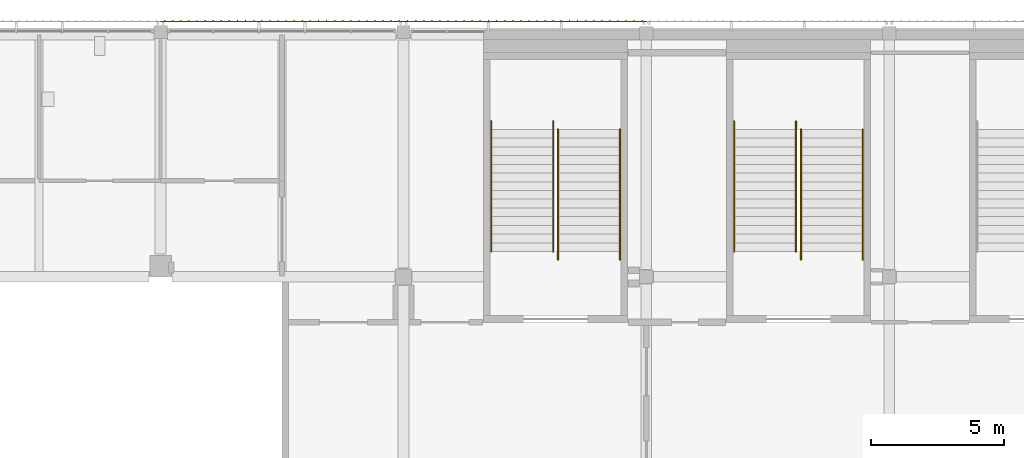
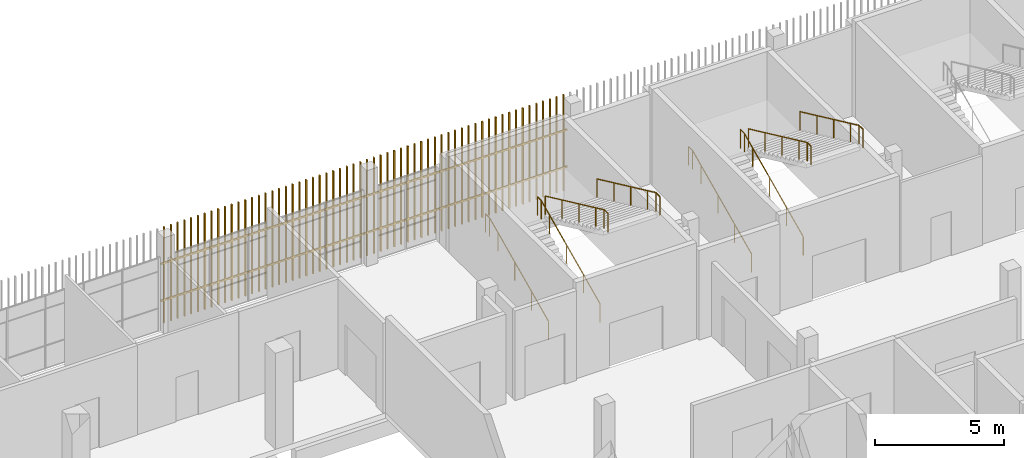
# One storey, part 115 of 124: 8 railings, 2 shading devices.
"""IFC4 building model written with IfcOpenShell, lengths in metres."""

import ifcopenshell
import ifcopenshell.guid

model = None  # the IFC model being written
_history = None  # IfcOwnerHistory: only IFC2X3 demands one
_inside = {}  # id of a spatial element -> (the spatial element, [elements in it])
_under = {}  # id of a project, library or spatial element -> (it, [spatial elements below it])
_declared = {}  # id of a project -> (the project, [libraries it declares])
_typed = {}  # id of a type object -> (the type object, [elements of that type])
_made_of = {}  # id of a material, layer set ... -> (it, [elements and type objects made of it])


def new_model(schema):
    """Start an empty IFC model of exactly this schema.

    Asked for "IFC4X3", IfcOpenShell would pick the latest addendum, in which some entities
    have other attributes; the version numbers below select the first issue.
    IFC2X3 requires an IfcOwnerHistory on every rooted entity: one is made here for all.
    """
    global model, _history
    if schema == "IFC4X3":
        model = ifcopenshell.file(schema_version=(4, 3, 0, 0))
    else:
        model = ifcopenshell.file(schema=schema)
    _inside.clear()
    _under.clear()
    _declared.clear()
    _typed.clear()
    _made_of.clear()
    _history = None
    if model.schema == "IFC2X3":
        org = make("IfcOrganization", Name="unknown")
        user = make(
            "IfcPersonAndOrganization",
            ThePerson=make("IfcPerson", FamilyName="unknown"),
            TheOrganization=org,
        )
        app = make(
            "IfcApplication",
            ApplicationDeveloper=org,
            Version="unknown",
            ApplicationFullName="unknown",
            ApplicationIdentifier="unknown",
        )
        _history = make(
            "IfcOwnerHistory",
            OwningUser=user,
            OwningApplication=app,
            ChangeAction="ADDED",
            CreationDate=0,
        )
    return model


def make(cls, **values):
    """One entity of the class cls with the attributes given. An attribute that is None is left unset."""
    return model.create_entity(
        cls, **{name: value for name, value in values.items() if value is not None}
    )


def rooted(cls, **values):
    """An entity with a GlobalId (a new one), such as an element, a storey or a relation."""
    return make(cls, GlobalId=ifcopenshell.guid.new(), OwnerHistory=_history, **values)


def si_unit(unit_type, name, prefix=None):
    """IfcSIUnit, for example si_unit("LENGTHUNIT", "METRE", prefix="MILLI")."""
    return make("IfcSIUnit", UnitType=unit_type, Prefix=prefix, Name=name)


def assignment(units):
    """IfcUnitAssignment: the units of a project."""
    return None if units is None else make("IfcUnitAssignment", Units=units)


def point(xyz):
    """IfcCartesianPoint."""
    return None if xyz is None else make("IfcCartesianPoint", Coordinates=xyz)


def direction(xyz):
    """IfcDirection."""
    return None if xyz is None else make("IfcDirection", DirectionRatios=xyz)


def frame(location, z_axis=None, x_axis=None):
    """IfcAxis2Placement3D, a coordinate frame: its origin and axes. An axis left out is left unset."""
    return make(
        "IfcAxis2Placement3D",
        Location=point(location),
        Axis=direction(z_axis),
        RefDirection=direction(x_axis),
    )


def frame_2d(location, x_axis=None):
    """IfcAxis2Placement2D, a coordinate frame in the plane: its origin and x axis."""
    return make(
        "IfcAxis2Placement2D", Location=point(location), RefDirection=direction(x_axis)
    )


def origin():
    """The frame at (0, 0, 0) with its axes left unset."""
    return frame((0.0, 0.0, 0.0))


def origin_2d():
    """The frame at (0, 0) in the plane with its x axis left unset."""
    return frame_2d((0.0, 0.0))


def place(relative_to, where):
    """IfcLocalPlacement: puts the frame where relative to a parent placement (None: the world)."""
    return make(
        "IfcLocalPlacement", PlacementRelTo=relative_to, RelativePlacement=where
    )


def context(
    kind, dimensions, precision=None, world=None, true_north=None, identifier=None
):
    """IfcGeometricRepresentationContext, for example the 3D "Model" context."""
    return make(
        "IfcGeometricRepresentationContext",
        ContextIdentifier=identifier,
        ContextType=kind,
        CoordinateSpaceDimension=dimensions,
        Precision=precision,
        WorldCoordinateSystem=world,
        TrueNorth=true_north,
    )


def subcontext(parent, identifier, kind, view, scale=None):
    """IfcGeometricRepresentationSubContext, for example "Body" below "Model"."""
    return make(
        "IfcGeometricRepresentationSubContext",
        ContextIdentifier=identifier,
        ContextType=kind,
        ParentContext=parent,
        TargetScale=scale,
        TargetView=view,
    )


def project(units=None, contexts=None):
    """IfcProject with its units and contexts."""
    return rooted(
        "IfcProject",
        Name="project",
        RepresentationContexts=contexts,
        UnitsInContext=assignment(units),
    )


def spatial(cls, under=None, at=None, **own):
    """A site, building, storey or space (cls), placed at a placement, below another one or the project."""
    s = rooted(cls, ObjectPlacement=at, **own)
    if under is not None:
        _under.setdefault(under.id(), (under, []))[1].append(s)
    return s


def profile(cls, at=None, kind="AREA", **sizes):
    """A parametric profile (cls). Its sizes go by their IFC names, for example OverallWidth=200.0."""
    return make(cls, ProfileType=kind, Position=at, **sizes)


def rectangle(**sizes):
    """IfcRectangleProfileDef."""
    return profile("IfcRectangleProfileDef", **sizes)


def circle(**sizes):
    """IfcCircleProfileDef."""
    return profile("IfcCircleProfileDef", **sizes)


def extrude(swept, where, along, depth):
    """IfcExtrudedAreaSolid: the profile swept, set in the frame where, extruded along a direction by depth."""
    return make(
        "IfcExtrudedAreaSolid",
        SweptArea=swept,
        Position=where,
        ExtrudedDirection=direction(along),
        Depth=depth,
    )


def shape(context_of_items, identifier, shape_type, items):
    """IfcShapeRepresentation: the items that make up one representation, for example the "Body"."""
    return make(
        "IfcShapeRepresentation",
        ContextOfItems=context_of_items,
        RepresentationIdentifier=identifier,
        RepresentationType=shape_type,
        Items=items,
    )


def material(Name=None, Category=None):
    """IfcMaterial."""
    return make("IfcMaterial", Name=Name, Category=Category)


def made_of(thing, what):
    """Note that an element or type object is made of a material, layer set ...; save() writes the relation."""
    if what is not None:
        _made_of.setdefault(what.id(), (what, []))[1].append(thing)
    return thing


def type_object(cls, material=None, **own):
    """A type object (cls), such as IfcWallType, which elements share."""
    return made_of(rooted(cls, **own), material)


def element(
    cls,
    number,
    at=None,
    inside=None,
    cuts=None,
    type_object=None,
    material=None,
    context=None,
    identifier="Body",
    shape_type=None,
    held_by="IfcProductDefinitionShape",
    body=None,
    shapes=None,
    **own,
):
    """One element of the class cls, such as IfcWall. Its Tag is "e" and its number.

    at: its placement. inside: the storey or other place that contains it. cuts: it is an
    opening in that element (IfcRelVoidsElement). A single representation is given by context,
    identifier, shape_type and body (its items); several are given by shapes. held_by: the class
    of the entity that holds the representations. save() writes the other relations.
    """
    e = rooted(cls, Tag="e%d" % number, ObjectPlacement=at, **own)
    if body is not None:
        shapes = [shape(context, identifier, shape_type, body)]
    if shapes is not None:
        e.Representation = make(held_by, Representations=shapes)
    if inside is not None:
        _inside.setdefault(inside.id(), (inside, []))[1].append(e)
    if cuts is not None:
        rooted(
            "IfcRelVoidsElement", RelatingBuildingElement=cuts, RelatedOpeningElement=e
        )
    if type_object is not None:
        _typed.setdefault(type_object.id(), (type_object, []))[1].append(e)
    return made_of(e, material)


def aggregate(whole, parts):
    """IfcRelAggregates: a whole, such as a stair, and the parts it consists of."""
    return rooted("IfcRelAggregates", RelatingObject=whole, RelatedObjects=parts)


def save(model, path):
    """Write the relations noted so far, then the file.

    IfcRelAggregates (storeys below a building ...), IfcRelContainedInSpatialStructure (elements
    in a storey), IfcRelDefinesByType, IfcRelAssociatesMaterial and IfcRelDeclares: one each for
    every whole, place, type object, material and project.
    """
    for whole, parts in _under.values():
        aggregate(whole, parts)
    for where, things in _inside.values():
        rooted(
            "IfcRelContainedInSpatialStructure",
            RelatedElements=things,
            RelatingStructure=where,
        )
    for kind, things in _typed.values():
        rooted("IfcRelDefinesByType", RelatedObjects=things, RelatingType=kind)
    for what, things in _made_of.values():
        rooted("IfcRelAssociatesMaterial", RelatedObjects=things, RelatingMaterial=what)
    for by, libraries in _declared.values():
        rooted("IfcRelDeclares", RelatingContext=by, RelatedDefinitions=libraries)
    model.write(path)


model = new_model("IFC4")

# Units and contexts
model_context = context("Model", 3, precision=1e-05, world=origin(), true_north=direction((0.0, 1.0)))
body_context = subcontext(model_context, "Body", "Model", "MODEL_VIEW")
ifc_project = project(units=[si_unit("LENGTHUNIT", "METRE"), si_unit("AREAUNIT", "SQUARE_METRE"), si_unit("VOLUMEUNIT", "CUBIC_METRE"), si_unit("PLANEANGLEUNIT", "RADIAN"), si_unit("MASSUNIT", "GRAM", prefix="KILO")], contexts=[model_context])

# Site, building, storey
site_placement = place(None, origin())
site = spatial("IfcSite", under=ifc_project, at=site_placement, CompositionType="ELEMENT")
building_placement = place(site_placement, origin())
building = spatial("IfcBuilding", under=site, at=building_placement, Name="Shirokan Park Arena", CompositionType="ELEMENT")
storey_placement = place(building_placement, frame((0.0, 0.0, 20.02001953125)))
storey = spatial("IfcBuildingStorey", under=building, at=storey_placement, Name="L04", CompositionType="ELEMENT", Elevation=20.02001953125)

# Railings
ifc_material_1 = material(Name="Stainless steel", Category="steel")
railing_type = type_object("IfcRailingType", Name="Stair handrail 900", PredefinedType="HANDRAIL", material=ifc_material_1)
railing_1_placement = place(storey_placement, frame((121.590087890625, 101.050048828125, 0.151611328125)))
element("IfcRailing", 1, at=railing_1_placement, inside=storey, type_object=railing_type, Name="Handrail Exit Stair 3.C L04 to L05", PredefinedType="HANDRAIL", context=body_context, shape_type="SweptSolid", body=[
    extrude(circle(Radius=0.02392578125, at=origin_2d()), frame((0.0, 0.0, 0.8759765625), z_axis=(0.0, 0.906999720516, 0.421131222998), x_axis=(-1.0, 0.0, 0.0)), (0.0, 0.0, 1.0), 1.440673828125),
    extrude(circle(Radius=0.02392578125, at=origin_2d()), frame((0.0, 1.306640625, 1.482421875), z_axis=(0.0, 0.907029769225, 0.421066500378), x_axis=(-1.0, 0.0, 0.0)), (0.0, 0.0, 1.0), 1.44091796875),
    extrude(circle(Radius=0.02392578125, at=origin_2d()), frame((0.0, 2.613525390625, 2.08935546875), z_axis=(0.0, 0.907029769225, 0.421066500378), x_axis=(-1.0, 0.0, 0.0)), (0.0, 0.0, 1.0), 1.44091796875),
    extrude(circle(Radius=0.02392578125, at=origin_2d()), frame((0.0, 3.92041015625, 2.69580078125), z_axis=(0.0, 0.907064445915, 0.420991794405), x_axis=(-1.0, 0.0, 0.0)), (0.0, 0.0, 1.0), 0.72021484375),
    extrude(circle(Radius=0.02392578125, at=origin_2d()), frame((0.0, 4.57373046875, 2.9990234375), z_axis=(0.0, 1.0, 0.0), x_axis=(-1.0, 0.0, 0.0)), (0.0, 0.0, 1.0), 0.300048828125),
    extrude(circle(Radius=0.02099609375, at=origin_2d()), origin(), (0.0, 0.0, 1.0), 0.851806640625),
    extrude(circle(Radius=0.02099609375, at=origin_2d()), frame((0.0, 1.306640625, 0.606689453125)), (0.0, 0.0, 1.0), 0.851806640625),
    extrude(circle(Radius=0.02099609375, at=origin_2d()), frame((0.0, 2.613525390625, 1.21337890625)), (0.0, 0.0, 1.0), 0.851806640625),
    extrude(circle(Radius=0.02099609375, at=origin_2d()), frame((0.0, 3.92041015625, 1.820068359375)), (0.0, 0.0, 1.0), 0.851806640625),
    extrude(circle(Radius=0.02099609375, at=origin_2d()), frame((0.0, 4.57373046875, 2.123291015625)), (0.0, 0.0, 1.0), 0.851806640625),
    extrude(circle(Radius=0.02099609375, at=origin_2d()), frame((0.0, 4.873779296875, 2.123291015625)), (0.0, 0.0, 1.0), 0.851806640625),
])
railing_2_placement = place(storey_placement, frame((123.909912109375, 101.050048828125, 0.151611328125)))
element("IfcRailing", 2, at=railing_2_placement, inside=storey, type_object=railing_type, Name="Handrail Exit Stair 3.C L04 to L05", PredefinedType="HANDRAIL", context=body_context, shape_type="SweptSolid", body=[
    extrude(circle(Radius=0.02392578125, at=origin_2d()), frame((0.0, 0.0, 0.8759765625), z_axis=(0.0, 0.906999720516, 0.421131222998), x_axis=(-1.0, 0.0, 0.0)), (0.0, 0.0, 1.0), 1.440673828125),
    extrude(circle(Radius=0.02392578125, at=origin_2d()), frame((0.0, 1.306640625, 1.482421875), z_axis=(0.0, 0.907029769225, 0.421066500378), x_axis=(-1.0, 0.0, 0.0)), (0.0, 0.0, 1.0), 1.44091796875),
    extrude(circle(Radius=0.02392578125, at=origin_2d()), frame((0.0, 2.613525390625, 2.08935546875), z_axis=(0.0, 0.907029769225, 0.421066500378), x_axis=(-1.0, 0.0, 0.0)), (0.0, 0.0, 1.0), 1.44091796875),
    extrude(circle(Radius=0.02392578125, at=origin_2d()), frame((0.0, 3.92041015625, 2.69580078125), z_axis=(0.0, 0.907064445915, 0.420991794405), x_axis=(-1.0, 0.0, 0.0)), (0.0, 0.0, 1.0), 0.72021484375),
    extrude(circle(Radius=0.02392578125, at=origin_2d()), frame((0.0, 4.57373046875, 2.9990234375), z_axis=(0.0, 1.0, 0.0), x_axis=(-1.0, 0.0, 0.0)), (0.0, 0.0, 1.0), 0.300048828125),
    extrude(circle(Radius=0.02099609375, at=origin_2d()), origin(), (0.0, 0.0, 1.0), 0.851806640625),
    extrude(circle(Radius=0.02099609375, at=origin_2d()), frame((0.0, 1.306640625, 0.606689453125)), (0.0, 0.0, 1.0), 0.851806640625),
    extrude(circle(Radius=0.02099609375, at=origin_2d()), frame((0.0, 2.613525390625, 1.21337890625)), (0.0, 0.0, 1.0), 0.851806640625),
    extrude(circle(Radius=0.02099609375, at=origin_2d()), frame((0.0, 3.92041015625, 1.820068359375)), (0.0, 0.0, 1.0), 0.851806640625),
    extrude(circle(Radius=0.02099609375, at=origin_2d()), frame((0.0, 4.57373046875, 2.123291015625)), (0.0, 0.0, 1.0), 0.851806640625),
    extrude(circle(Radius=0.02099609375, at=origin_2d()), frame((0.0, 4.873779296875, 2.123291015625)), (0.0, 0.0, 1.0), 0.851806640625),
])
railing_3_placement = place(storey_placement, frame((124.090087890625, 105.623779296875, 2.4267578125)))
element("IfcRailing", 3, at=railing_3_placement, inside=storey, type_object=railing_type, Name="Handrail Exit Stair 3.C L04 to L05", PredefinedType="HANDRAIL", context=body_context, shape_type="SweptSolid", body=[
    extrude(circle(Radius=0.02392578125, at=origin_2d()), frame((0.0, 0.0, 0.8759765625), z_axis=(0.0, -0.907094476872, 0.420927083981), x_axis=(1.0, 0.0, 0.0)), (0.0, 0.0, 1.0), 1.440673828125),
    extrude(circle(Radius=0.02392578125, at=origin_2d()), frame((0.0, -1.306884765625, 1.482421875), z_axis=(0.0, -0.906999720516, 0.421131222998), x_axis=(1.0, 0.0, 0.0)), (0.0, 0.0, 1.0), 1.440673828125),
    extrude(circle(Radius=0.02392578125, at=origin_2d()), frame((0.0, -2.613525390625, 2.0888671875), z_axis=(0.0, -0.907029769225, 0.421066500378), x_axis=(1.0, 0.0, 0.0)), (0.0, 0.0, 1.0), 1.44091796875),
    extrude(circle(Radius=0.02392578125, at=origin_2d()), frame((0.0, -3.92041015625, 2.69580078125), z_axis=(0.0, -0.906934982928, 0.421270621741), x_axis=(1.0, 0.0, 0.0)), (0.0, 0.0, 1.0), 0.720458984375),
    extrude(circle(Radius=0.02392578125, at=origin_2d()), frame((0.0, -4.57373046875, 2.9990234375), z_axis=(0.0, -1.0, 0.0), x_axis=(1.0, 0.0, 0.0)), (0.0, 0.0, 1.0), 0.300048828125),
    extrude(circle(Radius=0.02099609375, at=origin_2d()), origin(), (0.0, 0.0, 1.0), 0.851806640625),
    extrude(circle(Radius=0.02099609375, at=origin_2d()), frame((0.0, -1.306884765625, 0.6064453125)), (0.0, 0.0, 1.0), 0.851806640625),
    extrude(circle(Radius=0.02099609375, at=origin_2d()), frame((0.0, -2.613525390625, 1.213134765625)), (0.0, 0.0, 1.0), 0.851806640625),
    extrude(circle(Radius=0.02099609375, at=origin_2d()), frame((0.0, -3.92041015625, 1.81982421875)), (0.0, 0.0, 1.0), 0.851806640625),
    extrude(circle(Radius=0.02099609375, at=origin_2d()), frame((0.0, -4.57373046875, 2.123291015625)), (0.0, 0.0, 1.0), 0.851806640625),
    extrude(circle(Radius=0.02099609375, at=origin_2d()), frame((0.0, -4.873779296875, 2.123291015625)), (0.0, 0.0, 1.0), 0.851806640625),
])
railing_4_placement = place(storey_placement, frame((126.409912109375, 105.623779296875, 2.4267578125)))
element("IfcRailing", 4, at=railing_4_placement, inside=storey, type_object=railing_type, Name="Handrail Exit Stair 3.C L04 to L05", PredefinedType="HANDRAIL", context=body_context, shape_type="SweptSolid", body=[
    extrude(circle(Radius=0.02392578125, at=origin_2d()), frame((0.0, 0.0, 0.8759765625), z_axis=(0.0, -0.907094476872, 0.420927083981), x_axis=(1.0, 0.0, 0.0)), (0.0, 0.0, 1.0), 1.440673828125),
    extrude(circle(Radius=0.02392578125, at=origin_2d()), frame((0.0, -1.306884765625, 1.482421875), z_axis=(0.0, -0.906999720516, 0.421131222998), x_axis=(1.0, 0.0, 0.0)), (0.0, 0.0, 1.0), 1.440673828125),
    extrude(circle(Radius=0.02392578125, at=origin_2d()), frame((0.0, -2.613525390625, 2.0888671875), z_axis=(0.0, -0.907029769225, 0.421066500378), x_axis=(1.0, 0.0, 0.0)), (0.0, 0.0, 1.0), 1.44091796875),
    extrude(circle(Radius=0.02392578125, at=origin_2d()), frame((0.0, -3.92041015625, 2.69580078125), z_axis=(0.0, -0.906934982928, 0.421270621741), x_axis=(1.0, 0.0, 0.0)), (0.0, 0.0, 1.0), 0.720458984375),
    extrude(circle(Radius=0.02392578125, at=origin_2d()), frame((0.0, -4.57373046875, 2.9990234375), z_axis=(0.0, -1.0, 0.0), x_axis=(1.0, 0.0, 0.0)), (0.0, 0.0, 1.0), 0.300048828125),
    extrude(circle(Radius=0.02099609375, at=origin_2d()), origin(), (0.0, 0.0, 1.0), 0.851806640625),
    extrude(circle(Radius=0.02099609375, at=origin_2d()), frame((0.0, -1.306884765625, 0.6064453125)), (0.0, 0.0, 1.0), 0.851806640625),
    extrude(circle(Radius=0.02099609375, at=origin_2d()), frame((0.0, -2.613525390625, 1.213134765625)), (0.0, 0.0, 1.0), 0.851806640625),
    extrude(circle(Radius=0.02099609375, at=origin_2d()), frame((0.0, -3.92041015625, 1.81982421875)), (0.0, 0.0, 1.0), 0.851806640625),
    extrude(circle(Radius=0.02099609375, at=origin_2d()), frame((0.0, -4.57373046875, 2.123291015625)), (0.0, 0.0, 1.0), 0.851806640625),
    extrude(circle(Radius=0.02099609375, at=origin_2d()), frame((0.0, -4.873779296875, 2.123291015625)), (0.0, 0.0, 1.0), 0.851806640625),
])
railing_5_placement = place(storey_placement, frame((112.489990234375, 101.050048828125, 0.151611328125)))
element("IfcRailing", 5, at=railing_5_placement, inside=storey, type_object=railing_type, Name="Handrail Exit Stair 3.D L04 to L05", PredefinedType="HANDRAIL", context=body_context, shape_type="SweptSolid", body=[
    extrude(circle(Radius=0.02392578125, at=origin_2d()), frame((0.0, 0.0, 0.8759765625), z_axis=(0.0, 0.906999720516, 0.421131222998), x_axis=(-1.0, 0.0, 0.0)), (0.0, 0.0, 1.0), 1.440673828125),
    extrude(circle(Radius=0.02392578125, at=origin_2d()), frame((0.0, 1.306640625, 1.482421875), z_axis=(0.0, 0.907029769225, 0.421066500378), x_axis=(-1.0, 0.0, 0.0)), (0.0, 0.0, 1.0), 1.44091796875),
    extrude(circle(Radius=0.02392578125, at=origin_2d()), frame((0.0, 2.613525390625, 2.08935546875), z_axis=(0.0, 0.907029769225, 0.421066500378), x_axis=(-1.0, 0.0, 0.0)), (0.0, 0.0, 1.0), 1.44091796875),
    extrude(circle(Radius=0.02392578125, at=origin_2d()), frame((0.0, 3.92041015625, 2.69580078125), z_axis=(0.0, 0.907064445915, 0.420991794405), x_axis=(-1.0, 0.0, 0.0)), (0.0, 0.0, 1.0), 0.72021484375),
    extrude(circle(Radius=0.02392578125, at=origin_2d()), frame((0.0, 4.57373046875, 2.9990234375), z_axis=(0.0, 1.0, 0.0), x_axis=(-1.0, 0.0, 0.0)), (0.0, 0.0, 1.0), 0.300048828125),
    extrude(circle(Radius=0.02099609375, at=origin_2d()), origin(), (0.0, 0.0, 1.0), 0.851806640625),
    extrude(circle(Radius=0.02099609375, at=origin_2d()), frame((0.0, 1.306640625, 0.606689453125)), (0.0, 0.0, 1.0), 0.851806640625),
    extrude(circle(Radius=0.02099609375, at=origin_2d()), frame((0.0, 2.613525390625, 1.21337890625)), (0.0, 0.0, 1.0), 0.851806640625),
    extrude(circle(Radius=0.02099609375, at=origin_2d()), frame((0.0, 3.92041015625, 1.820068359375)), (0.0, 0.0, 1.0), 0.851806640625),
    extrude(circle(Radius=0.02099609375, at=origin_2d()), frame((0.0, 4.57373046875, 2.123291015625)), (0.0, 0.0, 1.0), 0.851806640625),
    extrude(circle(Radius=0.02099609375, at=origin_2d()), frame((0.0, 4.873779296875, 2.123291015625)), (0.0, 0.0, 1.0), 0.851806640625),
])
railing_6_placement = place(storey_placement, frame((114.81005859375, 101.050048828125, 0.151611328125)))
element("IfcRailing", 6, at=railing_6_placement, inside=storey, type_object=railing_type, Name="Handrail Exit Stair 3.D L04 to L05", PredefinedType="HANDRAIL", context=body_context, shape_type="SweptSolid", body=[
    extrude(circle(Radius=0.02392578125, at=origin_2d()), frame((0.0, 0.0, 0.8759765625), z_axis=(0.0, 0.906999720516, 0.421131222998), x_axis=(-1.0, 0.0, 0.0)), (0.0, 0.0, 1.0), 1.440673828125),
    extrude(circle(Radius=0.02392578125, at=origin_2d()), frame((0.0, 1.306640625, 1.482421875), z_axis=(0.0, 0.907029769225, 0.421066500378), x_axis=(-1.0, 0.0, 0.0)), (0.0, 0.0, 1.0), 1.44091796875),
    extrude(circle(Radius=0.02392578125, at=origin_2d()), frame((0.0, 2.613525390625, 2.08935546875), z_axis=(0.0, 0.907029769225, 0.421066500378), x_axis=(-1.0, 0.0, 0.0)), (0.0, 0.0, 1.0), 1.44091796875),
    extrude(circle(Radius=0.02392578125, at=origin_2d()), frame((0.0, 3.92041015625, 2.69580078125), z_axis=(0.0, 0.907064445915, 0.420991794405), x_axis=(-1.0, 0.0, 0.0)), (0.0, 0.0, 1.0), 0.72021484375),
    extrude(circle(Radius=0.02392578125, at=origin_2d()), frame((0.0, 4.57373046875, 2.9990234375), z_axis=(0.0, 1.0, 0.0), x_axis=(-1.0, 0.0, 0.0)), (0.0, 0.0, 1.0), 0.300048828125),
    extrude(circle(Radius=0.02099609375, at=origin_2d()), origin(), (0.0, 0.0, 1.0), 0.851806640625),
    extrude(circle(Radius=0.02099609375, at=origin_2d()), frame((0.0, 1.306640625, 0.606689453125)), (0.0, 0.0, 1.0), 0.851806640625),
    extrude(circle(Radius=0.02099609375, at=origin_2d()), frame((0.0, 2.613525390625, 1.21337890625)), (0.0, 0.0, 1.0), 0.851806640625),
    extrude(circle(Radius=0.02099609375, at=origin_2d()), frame((0.0, 3.92041015625, 1.820068359375)), (0.0, 0.0, 1.0), 0.851806640625),
    extrude(circle(Radius=0.02099609375, at=origin_2d()), frame((0.0, 4.57373046875, 2.123291015625)), (0.0, 0.0, 1.0), 0.851806640625),
    extrude(circle(Radius=0.02099609375, at=origin_2d()), frame((0.0, 4.873779296875, 2.123291015625)), (0.0, 0.0, 1.0), 0.851806640625),
])
railing_7_placement = place(storey_placement, frame((114.989990234375, 105.623779296875, 2.4267578125)))
element("IfcRailing", 7, at=railing_7_placement, inside=storey, type_object=railing_type, Name="Handrail Exit Stair 3.D L04 to L05", PredefinedType="HANDRAIL", context=body_context, shape_type="SweptSolid", body=[
    extrude(circle(Radius=0.02392578125, at=origin_2d()), frame((0.0, 0.0, 0.8759765625), z_axis=(0.0, -0.907094476872, 0.420927083981), x_axis=(1.0, 0.0, 0.0)), (0.0, 0.0, 1.0), 1.440673828125),
    extrude(circle(Radius=0.02392578125, at=origin_2d()), frame((0.0, -1.306884765625, 1.482421875), z_axis=(0.0, -0.906999720516, 0.421131222998), x_axis=(1.0, 0.0, 0.0)), (0.0, 0.0, 1.0), 1.440673828125),
    extrude(circle(Radius=0.02392578125, at=origin_2d()), frame((0.0, -2.613525390625, 2.0888671875), z_axis=(0.0, -0.907029769225, 0.421066500378), x_axis=(1.0, 0.0, 0.0)), (0.0, 0.0, 1.0), 1.44091796875),
    extrude(circle(Radius=0.02392578125, at=origin_2d()), frame((0.0, -3.92041015625, 2.69580078125), z_axis=(0.0, -0.906934982928, 0.421270621741), x_axis=(1.0, 0.0, 0.0)), (0.0, 0.0, 1.0), 0.720458984375),
    extrude(circle(Radius=0.02392578125, at=origin_2d()), frame((0.0, -4.57373046875, 2.9990234375), z_axis=(0.0, -1.0, 0.0), x_axis=(1.0, 0.0, 0.0)), (0.0, 0.0, 1.0), 0.300048828125),
    extrude(circle(Radius=0.02099609375, at=origin_2d()), origin(), (0.0, 0.0, 1.0), 0.851806640625),
    extrude(circle(Radius=0.02099609375, at=origin_2d()), frame((0.0, -1.306884765625, 0.6064453125)), (0.0, 0.0, 1.0), 0.851806640625),
    extrude(circle(Radius=0.02099609375, at=origin_2d()), frame((0.0, -2.613525390625, 1.213134765625)), (0.0, 0.0, 1.0), 0.851806640625),
    extrude(circle(Radius=0.02099609375, at=origin_2d()), frame((0.0, -3.92041015625, 1.81982421875)), (0.0, 0.0, 1.0), 0.851806640625),
    extrude(circle(Radius=0.02099609375, at=origin_2d()), frame((0.0, -4.57373046875, 2.123291015625)), (0.0, 0.0, 1.0), 0.851806640625),
    extrude(circle(Radius=0.02099609375, at=origin_2d()), frame((0.0, -4.873779296875, 2.123291015625)), (0.0, 0.0, 1.0), 0.851806640625),
])
railing_8_placement = place(storey_placement, frame((117.31005859375, 105.623779296875, 2.4267578125)))
element("IfcRailing", 8, at=railing_8_placement, inside=storey, type_object=railing_type, Name="Handrail Exit Stair 3.D L04 to L05", PredefinedType="HANDRAIL", context=body_context, shape_type="SweptSolid", body=[
    extrude(circle(Radius=0.02392578125, at=origin_2d()), frame((0.0, 0.0, 0.8759765625), z_axis=(0.0, -0.907094476872, 0.420927083981), x_axis=(1.0, 0.0, 0.0)), (0.0, 0.0, 1.0), 1.440673828125),
    extrude(circle(Radius=0.02392578125, at=origin_2d()), frame((0.0, -1.306884765625, 1.482421875), z_axis=(0.0, -0.906999720516, 0.421131222998), x_axis=(1.0, 0.0, 0.0)), (0.0, 0.0, 1.0), 1.440673828125),
    extrude(circle(Radius=0.02392578125, at=origin_2d()), frame((0.0, -2.613525390625, 2.0888671875), z_axis=(0.0, -0.907029769225, 0.421066500378), x_axis=(1.0, 0.0, 0.0)), (0.0, 0.0, 1.0), 1.44091796875),
    extrude(circle(Radius=0.02392578125, at=origin_2d()), frame((0.0, -3.92041015625, 2.69580078125), z_axis=(0.0, -0.906934982928, 0.421270621741), x_axis=(1.0, 0.0, 0.0)), (0.0, 0.0, 1.0), 0.720458984375),
    extrude(circle(Radius=0.02392578125, at=origin_2d()), frame((0.0, -4.57373046875, 2.9990234375), z_axis=(0.0, -1.0, 0.0), x_axis=(1.0, 0.0, 0.0)), (0.0, 0.0, 1.0), 0.300048828125),
    extrude(circle(Radius=0.02099609375, at=origin_2d()), origin(), (0.0, 0.0, 1.0), 0.851806640625),
    extrude(circle(Radius=0.02099609375, at=origin_2d()), frame((0.0, -1.306884765625, 0.6064453125)), (0.0, 0.0, 1.0), 0.851806640625),
    extrude(circle(Radius=0.02099609375, at=origin_2d()), frame((0.0, -2.613525390625, 1.213134765625)), (0.0, 0.0, 1.0), 0.851806640625),
    extrude(circle(Radius=0.02099609375, at=origin_2d()), frame((0.0, -3.92041015625, 1.81982421875)), (0.0, 0.0, 1.0), 0.851806640625),
    extrude(circle(Radius=0.02099609375, at=origin_2d()), frame((0.0, -4.57373046875, 2.123291015625)), (0.0, 0.0, 1.0), 0.851806640625),
    extrude(circle(Radius=0.02099609375, at=origin_2d()), frame((0.0, -4.873779296875, 2.123291015625)), (0.0, 0.0, 1.0), 0.851806640625),
])

# Shading devices
ifc_material_2 = material(Name="Timber louvre veil (cedar)", Category="wood")
shading_device_type = type_object("IfcShadingDeviceType", Name="Timber louvre veil panel", PredefinedType="JALOUSIE", material=ifc_material_2)
shading_device_1_placement = place(storey_placement, origin())
element("IfcShadingDevice", 9, at=shading_device_1_placement, inside=storey, type_object=shading_device_type, Name="Timber louvre veil north bay 4 L04", PredefinedType="JALOUSIE", context=body_context, shape_type="SweptSolid", body=[
    extrude(rectangle(XDim=0.050048828125, YDim=0.080078125, at=origin_2d()), frame((118.1484375, 109.68505859375, 0.0), z_axis=(0.0, 0.0, 1.0), x_axis=(-1.0, 0.0, 0.0)), (0.0, 0.0, 1.0), 4.550048828125),
    extrude(rectangle(XDim=0.050048828125, YDim=0.080078125, at=origin_2d()), frame((117.844970703125, 109.68505859375, 0.0), z_axis=(0.0, 0.0, 1.0), x_axis=(-1.0, 0.0, 0.0)), (0.0, 0.0, 1.0), 4.550048828125),
    extrude(rectangle(XDim=0.050048828125, YDim=0.080078125, at=origin_2d()), frame((117.541748046875, 109.68505859375, 0.0), z_axis=(0.0, 0.0, 1.0), x_axis=(-1.0, 0.0, 0.0)), (0.0, 0.0, 1.0), 4.550048828125),
    extrude(rectangle(XDim=0.050048828125, YDim=0.080078125, at=origin_2d()), frame((117.23828125, 109.68505859375, 0.0), z_axis=(0.0, 0.0, 1.0), x_axis=(-1.0, 0.0, 0.0)), (0.0, 0.0, 1.0), 4.550048828125),
    extrude(rectangle(XDim=0.050048828125, YDim=0.080078125, at=origin_2d()), frame((116.93505859375, 109.68505859375, 0.0), z_axis=(0.0, 0.0, 1.0), x_axis=(-1.0, 0.0, 0.0)), (0.0, 0.0, 1.0), 4.550048828125),
    extrude(rectangle(XDim=0.050048828125, YDim=0.080078125, at=origin_2d()), frame((116.631591796875, 109.68505859375, 0.0), z_axis=(0.0, 0.0, 1.0), x_axis=(-1.0, 0.0, 0.0)), (0.0, 0.0, 1.0), 4.550048828125),
    extrude(rectangle(XDim=0.050048828125, YDim=0.080078125, at=origin_2d()), frame((116.328369140625, 109.68505859375, 0.0), z_axis=(0.0, 0.0, 1.0), x_axis=(-1.0, 0.0, 0.0)), (0.0, 0.0, 1.0), 4.550048828125),
    extrude(rectangle(XDim=0.050048828125, YDim=0.080078125, at=origin_2d()), frame((116.02490234375, 109.68505859375, 0.0), z_axis=(0.0, 0.0, 1.0), x_axis=(-1.0, 0.0, 0.0)), (0.0, 0.0, 1.0), 4.550048828125),
    extrude(rectangle(XDim=0.050048828125, YDim=0.080078125, at=origin_2d()), frame((115.7216796875, 109.68505859375, 0.0), z_axis=(0.0, 0.0, 1.0), x_axis=(-1.0, 0.0, 0.0)), (0.0, 0.0, 1.0), 4.550048828125),
    extrude(rectangle(XDim=0.050048828125, YDim=0.080078125, at=origin_2d()), frame((115.418212890625, 109.68505859375, 0.0), z_axis=(0.0, 0.0, 1.0), x_axis=(-1.0, 0.0, 0.0)), (0.0, 0.0, 1.0), 4.550048828125),
    extrude(rectangle(XDim=0.050048828125, YDim=0.080078125, at=origin_2d()), frame((115.114990234375, 109.68505859375, 0.0), z_axis=(0.0, 0.0, 1.0), x_axis=(-1.0, 0.0, 0.0)), (0.0, 0.0, 1.0), 4.550048828125),
    extrude(rectangle(XDim=0.050048828125, YDim=0.080078125, at=origin_2d()), frame((114.811767578125, 109.68505859375, 0.0), z_axis=(0.0, 0.0, 1.0), x_axis=(-1.0, 0.0, 0.0)), (0.0, 0.0, 1.0), 4.550048828125),
    extrude(rectangle(XDim=0.050048828125, YDim=0.080078125, at=origin_2d()), frame((114.50830078125, 109.68505859375, 0.0), z_axis=(0.0, 0.0, 1.0), x_axis=(-1.0, 0.0, 0.0)), (0.0, 0.0, 1.0), 4.550048828125),
    extrude(rectangle(XDim=0.050048828125, YDim=0.080078125, at=origin_2d()), frame((114.205078125, 109.68505859375, 0.0), z_axis=(0.0, 0.0, 1.0), x_axis=(-1.0, 0.0, 0.0)), (0.0, 0.0, 1.0), 4.550048828125),
    extrude(rectangle(XDim=0.050048828125, YDim=0.080078125, at=origin_2d()), frame((113.901611328125, 109.68505859375, 0.0), z_axis=(0.0, 0.0, 1.0), x_axis=(-1.0, 0.0, 0.0)), (0.0, 0.0, 1.0), 4.550048828125),
    extrude(rectangle(XDim=0.050048828125, YDim=0.080078125, at=origin_2d()), frame((113.598388671875, 109.68505859375, 0.0), z_axis=(0.0, 0.0, 1.0), x_axis=(-1.0, 0.0, 0.0)), (0.0, 0.0, 1.0), 4.550048828125),
    extrude(rectangle(XDim=0.050048828125, YDim=0.080078125, at=origin_2d()), frame((113.294921875, 109.68505859375, 0.0), z_axis=(0.0, 0.0, 1.0), x_axis=(-1.0, 0.0, 0.0)), (0.0, 0.0, 1.0), 4.550048828125),
    extrude(rectangle(XDim=0.050048828125, YDim=0.080078125, at=origin_2d()), frame((112.99169921875, 109.68505859375, 0.0), z_axis=(0.0, 0.0, 1.0), x_axis=(-1.0, 0.0, 0.0)), (0.0, 0.0, 1.0), 4.550048828125),
    extrude(rectangle(XDim=0.050048828125, YDim=0.080078125, at=origin_2d()), frame((112.688232421875, 109.68505859375, 0.0), z_axis=(0.0, 0.0, 1.0), x_axis=(-1.0, 0.0, 0.0)), (0.0, 0.0, 1.0), 4.550048828125),
    extrude(rectangle(XDim=0.050048828125, YDim=0.080078125, at=origin_2d()), frame((112.385009765625, 109.68505859375, 0.0), z_axis=(0.0, 0.0, 1.0), x_axis=(-1.0, 0.0, 0.0)), (0.0, 0.0, 1.0), 4.550048828125),
    extrude(rectangle(XDim=0.050048828125, YDim=0.080078125, at=origin_2d()), frame((112.081787109375, 109.68505859375, 0.0), z_axis=(0.0, 0.0, 1.0), x_axis=(-1.0, 0.0, 0.0)), (0.0, 0.0, 1.0), 4.550048828125),
    extrude(rectangle(XDim=0.050048828125, YDim=0.080078125, at=origin_2d()), frame((111.7783203125, 109.68505859375, 0.0), z_axis=(0.0, 0.0, 1.0), x_axis=(-1.0, 0.0, 0.0)), (0.0, 0.0, 1.0), 4.550048828125),
    extrude(rectangle(XDim=0.050048828125, YDim=0.080078125, at=origin_2d()), frame((111.47509765625, 109.68505859375, 0.0), z_axis=(0.0, 0.0, 1.0), x_axis=(-1.0, 0.0, 0.0)), (0.0, 0.0, 1.0), 4.550048828125),
    extrude(rectangle(XDim=0.050048828125, YDim=0.080078125, at=origin_2d()), frame((111.171630859375, 109.68505859375, 0.0), z_axis=(0.0, 0.0, 1.0), x_axis=(-1.0, 0.0, 0.0)), (0.0, 0.0, 1.0), 4.550048828125),
    extrude(rectangle(XDim=0.050048828125, YDim=0.080078125, at=origin_2d()), frame((110.868408203125, 109.68505859375, 0.0), z_axis=(0.0, 0.0, 1.0), x_axis=(-1.0, 0.0, 0.0)), (0.0, 0.0, 1.0), 4.550048828125),
    extrude(rectangle(XDim=0.050048828125, YDim=0.080078125, at=origin_2d()), frame((110.56494140625, 109.68505859375, 0.0), z_axis=(0.0, 0.0, 1.0), x_axis=(-1.0, 0.0, 0.0)), (0.0, 0.0, 1.0), 4.550048828125),
    extrude(rectangle(XDim=0.050048828125, YDim=0.080078125, at=origin_2d()), frame((110.26171875, 109.68505859375, 0.0), z_axis=(0.0, 0.0, 1.0), x_axis=(-1.0, 0.0, 0.0)), (0.0, 0.0, 1.0), 4.550048828125),
    extrude(rectangle(XDim=0.050048828125, YDim=0.080078125, at=origin_2d()), frame((109.958251953125, 109.68505859375, 0.0), z_axis=(0.0, 0.0, 1.0), x_axis=(-1.0, 0.0, 0.0)), (0.0, 0.0, 1.0), 4.550048828125),
    extrude(rectangle(XDim=0.050048828125, YDim=0.080078125, at=origin_2d()), frame((109.655029296875, 109.68505859375, 0.0), z_axis=(0.0, 0.0, 1.0), x_axis=(-1.0, 0.0, 0.0)), (0.0, 0.0, 1.0), 4.550048828125),
    extrude(rectangle(XDim=0.050048828125, YDim=0.080078125, at=origin_2d()), frame((109.3515625, 109.68505859375, 0.0), z_axis=(0.0, 0.0, 1.0), x_axis=(-1.0, 0.0, 0.0)), (0.0, 0.0, 1.0), 4.550048828125),
    extrude(rectangle(XDim=9.10009765625, YDim=0.050048828125, at=origin_2d()), frame((113.75, 109.669921875, 1.06005859375), z_axis=(0.0, 0.0, 1.0), x_axis=(-1.0, 0.0, 0.0)), (0.0, 0.0, 1.0), 0.080078125),
    extrude(rectangle(XDim=9.10009765625, YDim=0.050048828125, at=origin_2d()), frame((113.75, 109.669921875, 2.81005859375), z_axis=(0.0, 0.0, 1.0), x_axis=(-1.0, 0.0, 0.0)), (0.0, 0.0, 1.0), 0.080078125),
])
shading_device_2_placement = place(storey_placement, origin())
element("IfcShadingDevice", 10, at=shading_device_2_placement, inside=storey, type_object=shading_device_type, Name="Timber louvre veil north bay 5 L04", PredefinedType="JALOUSIE", context=body_context, shape_type="SweptSolid", body=[
    extrude(rectangle(XDim=0.050048828125, YDim=0.080078125, at=origin_2d()), frame((109.04833984375, 109.68505859375, 0.0), z_axis=(0.0, 0.0, 1.0), x_axis=(-1.0, 0.0, 0.0)), (0.0, 0.0, 1.0), 4.550048828125),
    extrude(rectangle(XDim=0.050048828125, YDim=0.080078125, at=origin_2d()), frame((108.7451171875, 109.68505859375, 0.0), z_axis=(0.0, 0.0, 1.0), x_axis=(-1.0, 0.0, 0.0)), (0.0, 0.0, 1.0), 4.550048828125),
    extrude(rectangle(XDim=0.050048828125, YDim=0.080078125, at=origin_2d()), frame((108.441650390625, 109.68505859375, 0.0), z_axis=(0.0, 0.0, 1.0), x_axis=(-1.0, 0.0, 0.0)), (0.0, 0.0, 1.0), 4.550048828125),
    extrude(rectangle(XDim=0.050048828125, YDim=0.080078125, at=origin_2d()), frame((108.138427734375, 109.68505859375, 0.0), z_axis=(0.0, 0.0, 1.0), x_axis=(-1.0, 0.0, 0.0)), (0.0, 0.0, 1.0), 4.550048828125),
    extrude(rectangle(XDim=0.050048828125, YDim=0.080078125, at=origin_2d()), frame((107.8349609375, 109.68505859375, 0.0), z_axis=(0.0, 0.0, 1.0), x_axis=(-1.0, 0.0, 0.0)), (0.0, 0.0, 1.0), 4.550048828125),
    extrude(rectangle(XDim=0.050048828125, YDim=0.080078125, at=origin_2d()), frame((107.53173828125, 109.68505859375, 0.0), z_axis=(0.0, 0.0, 1.0), x_axis=(-1.0, 0.0, 0.0)), (0.0, 0.0, 1.0), 4.550048828125),
    extrude(rectangle(XDim=0.050048828125, YDim=0.080078125, at=origin_2d()), frame((107.228271484375, 109.68505859375, 0.0), z_axis=(0.0, 0.0, 1.0), x_axis=(-1.0, 0.0, 0.0)), (0.0, 0.0, 1.0), 4.550048828125),
    extrude(rectangle(XDim=0.050048828125, YDim=0.080078125, at=origin_2d()), frame((106.925048828125, 109.68505859375, 0.0), z_axis=(0.0, 0.0, 1.0), x_axis=(-1.0, 0.0, 0.0)), (0.0, 0.0, 1.0), 4.550048828125),
    extrude(rectangle(XDim=0.050048828125, YDim=0.080078125, at=origin_2d()), frame((106.62158203125, 109.68505859375, 0.0), z_axis=(0.0, 0.0, 1.0), x_axis=(-1.0, 0.0, 0.0)), (0.0, 0.0, 1.0), 4.550048828125),
    extrude(rectangle(XDim=0.050048828125, YDim=0.080078125, at=origin_2d()), frame((106.318359375, 109.68505859375, 0.0), z_axis=(0.0, 0.0, 1.0), x_axis=(-1.0, 0.0, 0.0)), (0.0, 0.0, 1.0), 4.550048828125),
    extrude(rectangle(XDim=0.050048828125, YDim=0.080078125, at=origin_2d()), frame((106.014892578125, 109.68505859375, 0.0), z_axis=(0.0, 0.0, 1.0), x_axis=(-1.0, 0.0, 0.0)), (0.0, 0.0, 1.0), 4.550048828125),
    extrude(rectangle(XDim=0.050048828125, YDim=0.080078125, at=origin_2d()), frame((105.711669921875, 109.68505859375, 0.0), z_axis=(0.0, 0.0, 1.0), x_axis=(-1.0, 0.0, 0.0)), (0.0, 0.0, 1.0), 4.550048828125),
    extrude(rectangle(XDim=0.050048828125, YDim=0.080078125, at=origin_2d()), frame((105.408447265625, 109.68505859375, 0.0), z_axis=(0.0, 0.0, 1.0), x_axis=(-1.0, 0.0, 0.0)), (0.0, 0.0, 1.0), 4.550048828125),
    extrude(rectangle(XDim=0.050048828125, YDim=0.080078125, at=origin_2d()), frame((105.10498046875, 109.68505859375, 0.0), z_axis=(0.0, 0.0, 1.0), x_axis=(-1.0, 0.0, 0.0)), (0.0, 0.0, 1.0), 4.550048828125),
    extrude(rectangle(XDim=0.050048828125, YDim=0.080078125, at=origin_2d()), frame((104.8017578125, 109.68505859375, 0.0), z_axis=(0.0, 0.0, 1.0), x_axis=(-1.0, 0.0, 0.0)), (0.0, 0.0, 1.0), 4.550048828125),
    extrude(rectangle(XDim=0.050048828125, YDim=0.080078125, at=origin_2d()), frame((104.498291015625, 109.68505859375, 0.0), z_axis=(0.0, 0.0, 1.0), x_axis=(-1.0, 0.0, 0.0)), (0.0, 0.0, 1.0), 4.550048828125),
    extrude(rectangle(XDim=0.050048828125, YDim=0.080078125, at=origin_2d()), frame((104.195068359375, 109.68505859375, 0.0), z_axis=(0.0, 0.0, 1.0), x_axis=(-1.0, 0.0, 0.0)), (0.0, 0.0, 1.0), 4.550048828125),
    extrude(rectangle(XDim=0.050048828125, YDim=0.080078125, at=origin_2d()), frame((103.8916015625, 109.68505859375, 0.0), z_axis=(0.0, 0.0, 1.0), x_axis=(-1.0, 0.0, 0.0)), (0.0, 0.0, 1.0), 4.550048828125),
    extrude(rectangle(XDim=0.050048828125, YDim=0.080078125, at=origin_2d()), frame((103.58837890625, 109.68505859375, 0.0), z_axis=(0.0, 0.0, 1.0), x_axis=(-1.0, 0.0, 0.0)), (0.0, 0.0, 1.0), 4.550048828125),
    extrude(rectangle(XDim=0.050048828125, YDim=0.080078125, at=origin_2d()), frame((103.284912109375, 109.68505859375, 0.0), z_axis=(0.0, 0.0, 1.0), x_axis=(-1.0, 0.0, 0.0)), (0.0, 0.0, 1.0), 4.550048828125),
    extrude(rectangle(XDim=0.050048828125, YDim=0.080078125, at=origin_2d()), frame((102.981689453125, 109.68505859375, 0.0), z_axis=(0.0, 0.0, 1.0), x_axis=(-1.0, 0.0, 0.0)), (0.0, 0.0, 1.0), 4.550048828125),
    extrude(rectangle(XDim=0.050048828125, YDim=0.080078125, at=origin_2d()), frame((102.67822265625, 109.68505859375, 0.0), z_axis=(0.0, 0.0, 1.0), x_axis=(-1.0, 0.0, 0.0)), (0.0, 0.0, 1.0), 4.550048828125),
    extrude(rectangle(XDim=0.050048828125, YDim=0.080078125, at=origin_2d()), frame((102.375, 109.68505859375, 0.0), z_axis=(0.0, 0.0, 1.0), x_axis=(-1.0, 0.0, 0.0)), (0.0, 0.0, 1.0), 4.550048828125),
    extrude(rectangle(XDim=0.050048828125, YDim=0.080078125, at=origin_2d()), frame((102.07177734375, 109.68505859375, 0.0), z_axis=(0.0, 0.0, 1.0), x_axis=(-1.0, 0.0, 0.0)), (0.0, 0.0, 1.0), 4.550048828125),
    extrude(rectangle(XDim=0.050048828125, YDim=0.080078125, at=origin_2d()), frame((101.768310546875, 109.68505859375, 0.0), z_axis=(0.0, 0.0, 1.0), x_axis=(-1.0, 0.0, 0.0)), (0.0, 0.0, 1.0), 4.550048828125),
    extrude(rectangle(XDim=0.050048828125, YDim=0.080078125, at=origin_2d()), frame((101.465087890625, 109.68505859375, 0.0), z_axis=(0.0, 0.0, 1.0), x_axis=(-1.0, 0.0, 0.0)), (0.0, 0.0, 1.0), 4.550048828125),
    extrude(rectangle(XDim=0.050048828125, YDim=0.080078125, at=origin_2d()), frame((101.16162109375, 109.68505859375, 0.0), z_axis=(0.0, 0.0, 1.0), x_axis=(-1.0, 0.0, 0.0)), (0.0, 0.0, 1.0), 4.550048828125),
    extrude(rectangle(XDim=0.050048828125, YDim=0.080078125, at=origin_2d()), frame((100.8583984375, 109.68505859375, 0.0), z_axis=(0.0, 0.0, 1.0), x_axis=(-1.0, 0.0, 0.0)), (0.0, 0.0, 1.0), 4.550048828125),
    extrude(rectangle(XDim=0.050048828125, YDim=0.080078125, at=origin_2d()), frame((100.554931640625, 109.68505859375, 0.0), z_axis=(0.0, 0.0, 1.0), x_axis=(-1.0, 0.0, 0.0)), (0.0, 0.0, 1.0), 4.550048828125),
    extrude(rectangle(XDim=0.050048828125, YDim=0.080078125, at=origin_2d()), frame((100.251708984375, 109.68505859375, 0.0), z_axis=(0.0, 0.0, 1.0), x_axis=(-1.0, 0.0, 0.0)), (0.0, 0.0, 1.0), 4.550048828125),
    extrude(rectangle(XDim=9.10009765625, YDim=0.050048828125, at=origin_2d()), frame((104.64990234375, 109.669921875, 1.06005859375), z_axis=(0.0, 0.0, 1.0), x_axis=(-1.0, 0.0, 0.0)), (0.0, 0.0, 1.0), 0.080078125),
    extrude(rectangle(XDim=9.10009765625, YDim=0.050048828125, at=origin_2d()), frame((104.64990234375, 109.669921875, 2.81005859375), z_axis=(0.0, 0.0, 1.0), x_axis=(-1.0, 0.0, 0.0)), (0.0, 0.0, 1.0), 0.080078125),
])

save(model, "model.ifc")
